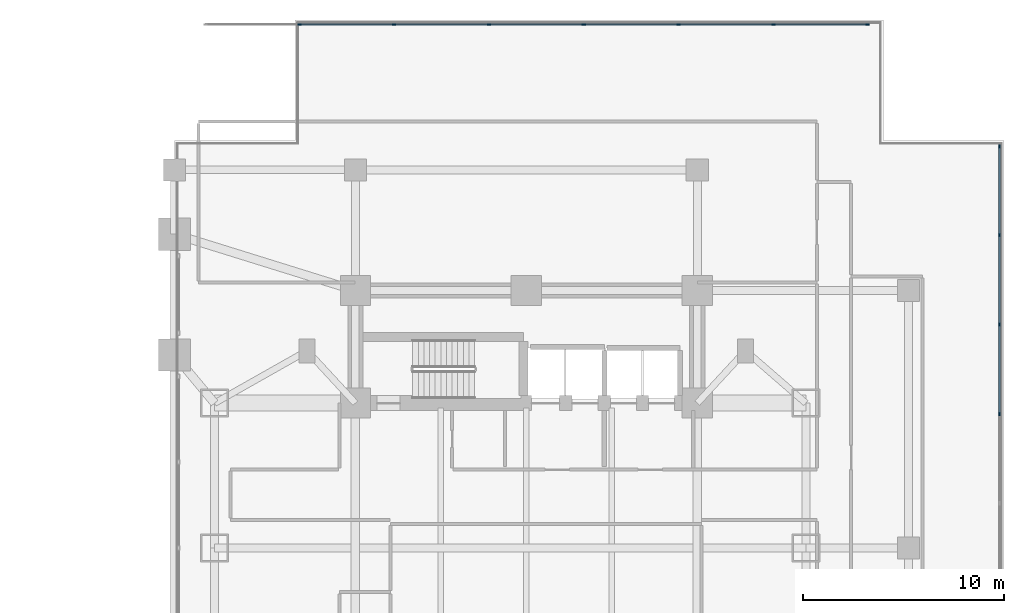
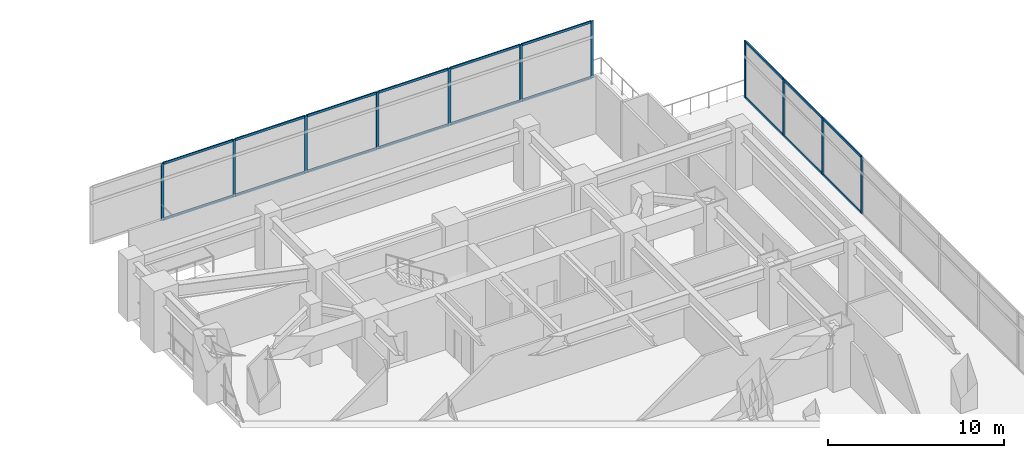
# One storey, part 13 of 31: 29 members, 2 elements without a shape of their own.
"""IFC4 building model written with IfcOpenShell, lengths in metres."""

from ifc_helpers import new_model, si_unit, direction, frame, origin, origin_2d, place, context, subcontext, project, spatial, rectangle, extrude, material, material_profile, profile_set, type_object, element, aggregate, save


model = new_model("IFC4")

# Units and contexts
model_context = context("Model", 3, precision=1e-05, world=origin(), true_north=direction((0.0, 1.0)))
body_context = subcontext(model_context, "Body", "Model", "MODEL_VIEW")
ifc_project = project(units=[si_unit("LENGTHUNIT", "METRE"), si_unit("AREAUNIT", "SQUARE_METRE"), si_unit("VOLUMEUNIT", "CUBIC_METRE"), si_unit("PLANEANGLEUNIT", "RADIAN"), si_unit("MASSUNIT", "GRAM", prefix="KILO")], contexts=[model_context])

# Site, building, storey
site_placement = place(None, origin())
site = spatial("IfcSite", under=ifc_project, at=site_placement, CompositionType="ELEMENT")
building_placement = place(site_placement, origin())
building = spatial("IfcBuilding", under=site, at=building_placement, Name="Mirazonda Arch Towers", CompositionType="ELEMENT")
storey_placement = place(building_placement, frame((0.0, 0.0, 5.199951171875)))
storey = spatial("IfcBuildingStorey", under=building, at=storey_placement, Name="L01", CompositionType="ELEMENT", Elevation=5.199951171875)

# Curtain wall, members
ifc_material_1 = material(Name="Anodised Aluminium and Low-E Glass", Category="aluminium")
curtain_wall_type = type_object("IfcCurtainWallType", Name="CW-POD-STORE", PredefinedType="NOTDEFINED", material=ifc_material_1)
curtain_wall_1_placement = place(storey_placement, origin())
curtain_wall_1 = element("IfcCurtainWall", 1, at=curtain_wall_1_placement, inside=storey, type_object=curtain_wall_type, Name="L01 Curtain Wall CW-L01-EN", PredefinedType="NOTDEFINED")
ifc_material_2 = material(Name="Anodised Aluminium Alloy", Category="aluminium")
ifc_material_profile_1 = material_profile(ifc_material_2, rectangle(XDim=0.080078125, YDim=0.179931640625, at=origin_2d()), Name="ALU-MULL-80x180")
ifc_profile_set_1 = profile_set([ifc_material_profile_1], Name="Anodised Aluminium Alloy")
member_type_1 = type_object("IfcMemberType", Name="MULL-CW-POD-STORE", PredefinedType="MULLION", material=ifc_profile_set_1)
member_1_placement = place(storey_placement, frame((65.21435546875, 54.030029296875, 0.0), z_axis=(0.0, 0.0, 1.0), x_axis=(0.0, 1.0, 0.0)))
member_1 = element("IfcMember", 2, at=member_1_placement, type_object=member_type_1, Name="CW-102 mullion 2", PredefinedType="MULLION", context=body_context, shape_type="SweptSolid", body=[
    extrude(rectangle(XDim=0.080078125, YDim=0.179931640625, at=origin_2d()), origin(), (0.0, 0.0, 1.0), 3.9599609375),
])
member_2_placement = place(storey_placement, frame((69.928466796875, 54.030029296875, 0.0), z_axis=(0.0, 0.0, 1.0), x_axis=(0.0, 1.0, 0.0)))
member_2 = element("IfcMember", 3, at=member_2_placement, type_object=member_type_1, Name="CW-102 mullion 3", PredefinedType="MULLION", context=body_context, shape_type="SweptSolid", body=[
    extrude(rectangle(XDim=0.080078125, YDim=0.179931640625, at=origin_2d()), origin(), (0.0, 0.0, 1.0), 3.9599609375),
])
member_3_placement = place(storey_placement, frame((74.642822265625, 54.030029296875, 0.0), z_axis=(0.0, 0.0, 1.0), x_axis=(0.0, 1.0, 0.0)))
member_3 = element("IfcMember", 4, at=member_3_placement, type_object=member_type_1, Name="CW-102 mullion 4", PredefinedType="MULLION", context=body_context, shape_type="SweptSolid", body=[
    extrude(rectangle(XDim=0.080078125, YDim=0.179931640625, at=origin_2d()), origin(), (0.0, 0.0, 1.0), 3.9599609375),
])
member_4_placement = place(storey_placement, frame((79.357177734375, 54.030029296875, 0.0), z_axis=(0.0, 0.0, 1.0), x_axis=(0.0, 1.0, 0.0)))
member_4 = element("IfcMember", 5, at=member_4_placement, type_object=member_type_1, Name="CW-102 mullion 5", PredefinedType="MULLION", context=body_context, shape_type="SweptSolid", body=[
    extrude(rectangle(XDim=0.080078125, YDim=0.179931640625, at=origin_2d()), origin(), (0.0, 0.0, 1.0), 3.9599609375),
])
member_5_placement = place(storey_placement, frame((84.071533203125, 54.030029296875, 0.0), z_axis=(0.0, 0.0, 1.0), x_axis=(0.0, 1.0, 0.0)))
member_5 = element("IfcMember", 6, at=member_5_placement, type_object=member_type_1, Name="CW-102 mullion 6", PredefinedType="MULLION", context=body_context, shape_type="SweptSolid", body=[
    extrude(rectangle(XDim=0.080078125, YDim=0.179931640625, at=origin_2d()), origin(), (0.0, 0.0, 1.0), 3.9599609375),
])
member_6_placement = place(storey_placement, frame((88.78564453125, 54.030029296875, 0.0), z_axis=(0.0, 0.0, 1.0), x_axis=(0.0, 1.0, 0.0)))
member_6 = element("IfcMember", 7, at=member_6_placement, type_object=member_type_1, Name="CW-102 mullion 7", PredefinedType="MULLION", context=body_context, shape_type="SweptSolid", body=[
    extrude(rectangle(XDim=0.080078125, YDim=0.179931640625, at=origin_2d()), origin(), (0.0, 0.0, 1.0), 3.9599609375),
])
member_7_placement = place(storey_placement, frame((93.4599609375, 54.030029296875, 0.0), z_axis=(0.0, 0.0, 1.0), x_axis=(0.0, 1.0, 0.0)))
member_7 = element("IfcMember", 8, at=member_7_placement, type_object=member_type_1, Name="CW-102 mullion 8", PredefinedType="MULLION", context=body_context, shape_type="SweptSolid", body=[
    extrude(rectangle(XDim=0.080078125, YDim=0.179931640625, at=origin_2d()), origin(), (0.0, 0.0, 1.0), 3.9599609375),
])

curtain_wall_2_placement = place(storey_placement, origin())
curtain_wall_2 = element("IfcCurtainWall", 9, at=curtain_wall_2_placement, inside=storey, type_object=curtain_wall_type, Name="L01 Curtain Wall CW-L01-EE", PredefinedType="NOTDEFINED")
member_8_placement = place(storey_placement, frame((100.030029296875, 34.666748046875, 0.0), z_axis=(0.0, 0.0, 1.0), x_axis=(-1.0, 0.0, 0.0)))
member_8 = element("IfcMember", 10, at=member_8_placement, type_object=member_type_1, Name="CW-102 mullion 7", PredefinedType="MULLION", context=body_context, shape_type="SweptSolid", body=[
    extrude(rectangle(XDim=0.080078125, YDim=0.179931640625, at=origin_2d()), origin(), (0.0, 0.0, 1.0), 3.9599609375),
])
member_9_placement = place(storey_placement, frame((100.030029296875, 39.111083984375, 0.0), z_axis=(0.0, 0.0, 1.0), x_axis=(-1.0, 0.0, 0.0)))
member_9 = element("IfcMember", 11, at=member_9_placement, type_object=member_type_1, Name="CW-102 mullion 8", PredefinedType="MULLION", context=body_context, shape_type="SweptSolid", body=[
    extrude(rectangle(XDim=0.080078125, YDim=0.179931640625, at=origin_2d()), origin(), (0.0, 0.0, 1.0), 3.9599609375),
])
member_10_placement = place(storey_placement, frame((100.030029296875, 43.5556640625, 0.0), z_axis=(0.0, 0.0, 1.0), x_axis=(-1.0, 0.0, 0.0)))
member_10 = element("IfcMember", 12, at=member_10_placement, type_object=member_type_1, Name="CW-102 mullion 9", PredefinedType="MULLION", context=body_context, shape_type="SweptSolid", body=[
    extrude(rectangle(XDim=0.080078125, YDim=0.179931640625, at=origin_2d()), origin(), (0.0, 0.0, 1.0), 3.9599609375),
])
member_11_placement = place(storey_placement, frame((100.030029296875, 47.9599609375, 0.0), z_axis=(0.0, 0.0, 1.0), x_axis=(-1.0, 0.0, 0.0)))
member_11 = element("IfcMember", 13, at=member_11_placement, type_object=member_type_1, Name="CW-102 mullion 10", PredefinedType="MULLION", context=body_context, shape_type="SweptSolid", body=[
    extrude(rectangle(XDim=0.080078125, YDim=0.179931640625, at=origin_2d()), origin(), (0.0, 0.0, 1.0), 3.9599609375),
])

# Member
ifc_material_profile_2 = material_profile(ifc_material_2, rectangle(XDim=0.080078125, YDim=0.159912109375, at=origin_2d()), Name="ALU-TRAN-80x160")
ifc_profile_set_2 = profile_set([ifc_material_profile_2], Name="Anodised Aluminium Alloy")
member_type_2 = type_object("IfcMemberType", Name="TRAN-CW-POD-STORE", PredefinedType="USERDEFINED", material=ifc_profile_set_2)
member_12_placement = place(storey_placement, frame((65.25439453125, 54.030029296875, 0.0400390625), z_axis=(1.0, 0.0, 0.0), x_axis=(0.0, 1.0, 0.0)))
member_12 = element("IfcMember", 14, at=member_12_placement, type_object=member_type_2, Name="CW-102 transom 2.1", ObjectType="TRANSOM", PredefinedType="USERDEFINED", context=body_context, shape_type="SweptSolid", body=[
    extrude(rectangle(XDim=0.080078125, YDim=0.159912109375, at=origin_2d()), origin(), (0.0, 0.0, 1.0), 4.63427734375),
])

member_13_placement = place(storey_placement, frame((65.25439453125, 54.030029296875, 3.920166015625), z_axis=(1.0, 0.0, 0.0), x_axis=(0.0, 1.0, 0.0)))
member_13 = element("IfcMember", 15, at=member_13_placement, type_object=member_type_2, Name="CW-102 transom 2.2", ObjectType="TRANSOM", PredefinedType="USERDEFINED", context=body_context, shape_type="SweptSolid", body=[
    extrude(rectangle(XDim=0.080078125, YDim=0.159912109375, at=origin_2d()), origin(), (0.0, 0.0, 1.0), 4.63427734375),
])

member_14_placement = place(storey_placement, frame((69.968505859375, 54.030029296875, 0.0400390625), z_axis=(1.0, 0.0, 0.0), x_axis=(0.0, 1.0, 0.0)))
member_14 = element("IfcMember", 16, at=member_14_placement, type_object=member_type_2, Name="CW-102 transom 3.1", ObjectType="TRANSOM", PredefinedType="USERDEFINED", context=body_context, shape_type="SweptSolid", body=[
    extrude(rectangle(XDim=0.080078125, YDim=0.159912109375, at=origin_2d()), origin(), (0.0, 0.0, 1.0), 4.63427734375),
])

member_15_placement = place(storey_placement, frame((69.968505859375, 54.030029296875, 3.920166015625), z_axis=(1.0, 0.0, 0.0), x_axis=(0.0, 1.0, 0.0)))
member_15 = element("IfcMember", 17, at=member_15_placement, type_object=member_type_2, Name="CW-102 transom 3.2", ObjectType="TRANSOM", PredefinedType="USERDEFINED", context=body_context, shape_type="SweptSolid", body=[
    extrude(rectangle(XDim=0.080078125, YDim=0.159912109375, at=origin_2d()), origin(), (0.0, 0.0, 1.0), 4.63427734375),
])

member_16_placement = place(storey_placement, frame((74.682861328125, 54.030029296875, 0.0400390625), z_axis=(1.0, 0.0, 0.0), x_axis=(0.0, 1.0, 0.0)))
member_16 = element("IfcMember", 18, at=member_16_placement, type_object=member_type_2, Name="CW-102 transom 4.1", ObjectType="TRANSOM", PredefinedType="USERDEFINED", context=body_context, shape_type="SweptSolid", body=[
    extrude(rectangle(XDim=0.080078125, YDim=0.159912109375, at=origin_2d()), origin(), (0.0, 0.0, 1.0), 4.63427734375),
])

member_17_placement = place(storey_placement, frame((74.682861328125, 54.030029296875, 3.920166015625), z_axis=(1.0, 0.0, 0.0), x_axis=(0.0, 1.0, 0.0)))
member_17 = element("IfcMember", 19, at=member_17_placement, type_object=member_type_2, Name="CW-102 transom 4.2", ObjectType="TRANSOM", PredefinedType="USERDEFINED", context=body_context, shape_type="SweptSolid", body=[
    extrude(rectangle(XDim=0.080078125, YDim=0.159912109375, at=origin_2d()), origin(), (0.0, 0.0, 1.0), 4.63427734375),
])

member_18_placement = place(storey_placement, frame((79.397216796875, 54.030029296875, 0.0400390625), z_axis=(1.0, 0.0, 0.0), x_axis=(0.0, 1.0, 0.0)))
member_18 = element("IfcMember", 20, at=member_18_placement, type_object=member_type_2, Name="CW-102 transom 5.1", ObjectType="TRANSOM", PredefinedType="USERDEFINED", context=body_context, shape_type="SweptSolid", body=[
    extrude(rectangle(XDim=0.080078125, YDim=0.159912109375, at=origin_2d()), origin(), (0.0, 0.0, 1.0), 4.63427734375),
])

member_19_placement = place(storey_placement, frame((79.397216796875, 54.030029296875, 3.920166015625), z_axis=(1.0, 0.0, 0.0), x_axis=(0.0, 1.0, 0.0)))
member_19 = element("IfcMember", 21, at=member_19_placement, type_object=member_type_2, Name="CW-102 transom 5.2", ObjectType="TRANSOM", PredefinedType="USERDEFINED", context=body_context, shape_type="SweptSolid", body=[
    extrude(rectangle(XDim=0.080078125, YDim=0.159912109375, at=origin_2d()), origin(), (0.0, 0.0, 1.0), 4.63427734375),
])

member_20_placement = place(storey_placement, frame((84.111328125, 54.030029296875, 0.0400390625), z_axis=(1.0, 0.0, 0.0), x_axis=(0.0, 1.0, 0.0)))
member_20 = element("IfcMember", 22, at=member_20_placement, type_object=member_type_2, Name="CW-102 transom 6.1", ObjectType="TRANSOM", PredefinedType="USERDEFINED", context=body_context, shape_type="SweptSolid", body=[
    extrude(rectangle(XDim=0.080078125, YDim=0.159912109375, at=origin_2d()), origin(), (0.0, 0.0, 1.0), 4.63427734375),
])

member_21_placement = place(storey_placement, frame((84.111328125, 54.030029296875, 3.920166015625), z_axis=(1.0, 0.0, 0.0), x_axis=(0.0, 1.0, 0.0)))
member_21 = element("IfcMember", 23, at=member_21_placement, type_object=member_type_2, Name="CW-102 transom 6.2", ObjectType="TRANSOM", PredefinedType="USERDEFINED", context=body_context, shape_type="SweptSolid", body=[
    extrude(rectangle(XDim=0.080078125, YDim=0.159912109375, at=origin_2d()), origin(), (0.0, 0.0, 1.0), 4.63427734375),
])

member_22_placement = place(storey_placement, frame((88.82568359375, 54.030029296875, 0.0400390625), z_axis=(1.0, 0.0, 0.0), x_axis=(0.0, 1.0, 0.0)))
member_22 = element("IfcMember", 24, at=member_22_placement, type_object=member_type_2, Name="CW-102 transom 7.1", ObjectType="TRANSOM", PredefinedType="USERDEFINED", context=body_context, shape_type="SweptSolid", body=[
    extrude(rectangle(XDim=0.080078125, YDim=0.159912109375, at=origin_2d()), origin(), (0.0, 0.0, 1.0), 4.59423828125),
])

member_23_placement = place(storey_placement, frame((88.82568359375, 54.030029296875, 3.920166015625), z_axis=(1.0, 0.0, 0.0), x_axis=(0.0, 1.0, 0.0)))
member_23 = element("IfcMember", 25, at=member_23_placement, type_object=member_type_2, Name="CW-102 transom 7.2", ObjectType="TRANSOM", PredefinedType="USERDEFINED", context=body_context, shape_type="SweptSolid", body=[
    extrude(rectangle(XDim=0.080078125, YDim=0.159912109375, at=origin_2d()), origin(), (0.0, 0.0, 1.0), 4.59423828125),
])

aggregate(curtain_wall_1, [member_1, member_2, member_3, member_4, member_5, member_6, member_7, member_12, member_13, member_14, member_15, member_16, member_17, member_18, member_19, member_20, member_21, member_22, member_23])

member_24_placement = place(storey_placement, frame((100.030029296875, 34.706787109375, 0.0400390625), z_axis=(0.0, 1.0, 0.0), x_axis=(-1.0, 0.0, 0.0)))
member_24 = element("IfcMember", 26, at=member_24_placement, type_object=member_type_2, Name="CW-102 transom 7.1", ObjectType="TRANSOM", PredefinedType="USERDEFINED", context=body_context, shape_type="SweptSolid", body=[
    extrude(rectangle(XDim=0.080078125, YDim=0.159912109375, at=origin_2d()), origin(), (0.0, 0.0, 1.0), 4.3642578125),
])

member_25_placement = place(storey_placement, frame((100.030029296875, 34.706787109375, 3.920166015625), z_axis=(0.0, 1.0, 0.0), x_axis=(-1.0, 0.0, 0.0)))
member_25 = element("IfcMember", 27, at=member_25_placement, type_object=member_type_2, Name="CW-102 transom 7.2", ObjectType="TRANSOM", PredefinedType="USERDEFINED", context=body_context, shape_type="SweptSolid", body=[
    extrude(rectangle(XDim=0.080078125, YDim=0.159912109375, at=origin_2d()), origin(), (0.0, 0.0, 1.0), 4.3642578125),
])

member_26_placement = place(storey_placement, frame((100.030029296875, 39.151123046875, 0.0400390625), z_axis=(0.0, 1.0, 0.0), x_axis=(-1.0, 0.0, 0.0)))
member_26 = element("IfcMember", 28, at=member_26_placement, type_object=member_type_2, Name="CW-102 transom 8.1", ObjectType="TRANSOM", PredefinedType="USERDEFINED", context=body_context, shape_type="SweptSolid", body=[
    extrude(rectangle(XDim=0.080078125, YDim=0.159912109375, at=origin_2d()), origin(), (0.0, 0.0, 1.0), 4.364501953125),
])

member_27_placement = place(storey_placement, frame((100.030029296875, 39.151123046875, 3.920166015625), z_axis=(0.0, 1.0, 0.0), x_axis=(-1.0, 0.0, 0.0)))
member_27 = element("IfcMember", 29, at=member_27_placement, type_object=member_type_2, Name="CW-102 transom 8.2", ObjectType="TRANSOM", PredefinedType="USERDEFINED", context=body_context, shape_type="SweptSolid", body=[
    extrude(rectangle(XDim=0.080078125, YDim=0.159912109375, at=origin_2d()), origin(), (0.0, 0.0, 1.0), 4.364501953125),
])

member_28_placement = place(storey_placement, frame((100.030029296875, 43.595458984375, 0.0400390625), z_axis=(0.0, 1.0, 0.0), x_axis=(-1.0, 0.0, 0.0)))
member_28 = element("IfcMember", 30, at=member_28_placement, type_object=member_type_2, Name="CW-102 transom 9.1", ObjectType="TRANSOM", PredefinedType="USERDEFINED", context=body_context, shape_type="SweptSolid", body=[
    extrude(rectangle(XDim=0.080078125, YDim=0.159912109375, at=origin_2d()), origin(), (0.0, 0.0, 1.0), 4.324462890625),
])

member_29_placement = place(storey_placement, frame((100.030029296875, 43.595458984375, 3.920166015625), z_axis=(0.0, 1.0, 0.0), x_axis=(-1.0, 0.0, 0.0)))
member_29 = element("IfcMember", 31, at=member_29_placement, type_object=member_type_2, Name="CW-102 transom 9.2", ObjectType="TRANSOM", PredefinedType="USERDEFINED", context=body_context, shape_type="SweptSolid", body=[
    extrude(rectangle(XDim=0.080078125, YDim=0.159912109375, at=origin_2d()), origin(), (0.0, 0.0, 1.0), 4.324462890625),
])

aggregate(curtain_wall_2, [member_8, member_9, member_10, member_11, member_24, member_25, member_26, member_27, member_28, member_29])

save(model, "model.ifc")
